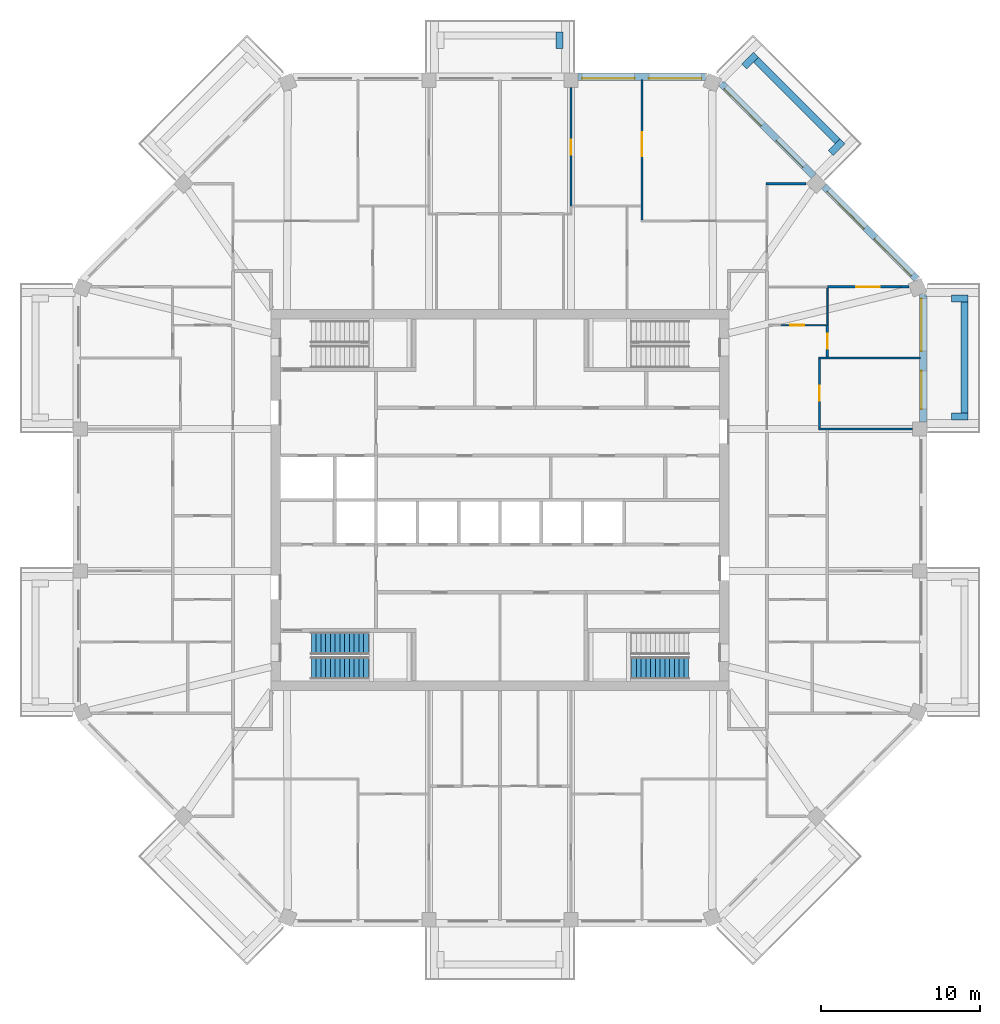
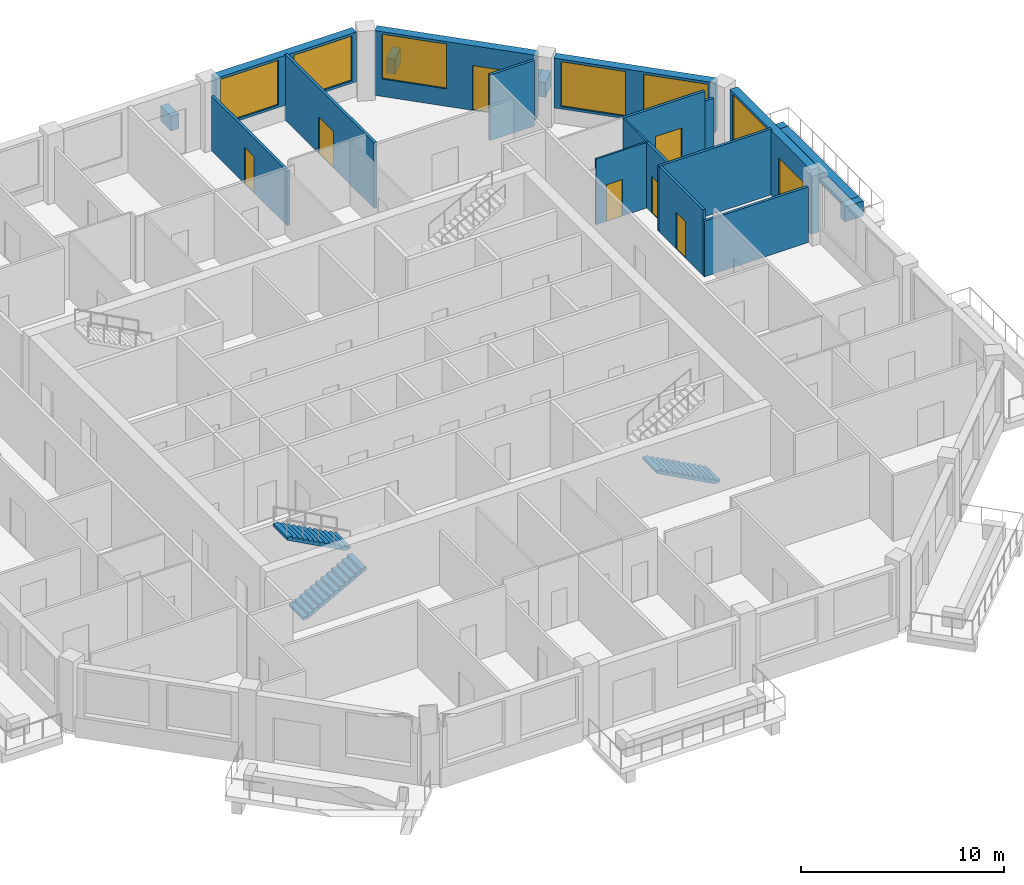
# One storey, part 9 of 12: 22 walls, 8 doors, 6 windows, 3 stair flights, 14 openings, 2 elements without a shape of their own.
"""IFC4 building model written with IfcOpenShell, lengths in metres."""

from ifc_helpers import new_model, si_unit, direction, frame, frame_2d, origin, place, context, subcontext, project, spatial, polyline, rectangle, outline, extrude, material, layer, layer_set, type_object, element, fill, aggregate, save


model = new_model("IFC4")

# Units and contexts
model_context = context("Model", 3, precision=1e-05, world=origin(), true_north=direction((0.0, 1.0)))
body_context = subcontext(model_context, "Body", "Model", "MODEL_VIEW")
ifc_project = project(units=[si_unit("LENGTHUNIT", "METRE"), si_unit("AREAUNIT", "SQUARE_METRE"), si_unit("VOLUMEUNIT", "CUBIC_METRE"), si_unit("PLANEANGLEUNIT", "RADIAN"), si_unit("MASSUNIT", "GRAM", prefix="KILO")], contexts=[model_context])

# Site, building, storey
site_placement = place(None, origin())
site = spatial("IfcSite", under=ifc_project, at=site_placement, CompositionType="ELEMENT")
building_placement = place(site_placement, origin())
building = spatial("IfcBuilding", under=site, at=building_placement, Name="Msitu Wima Residences", CompositionType="ELEMENT")
storey_placement = place(building_placement, frame((0.0, 0.0, 239.10009765625)))
storey = spatial("IfcBuildingStorey", under=building, at=storey_placement, Name="L55", CompositionType="ELEMENT", Elevation=239.10009765625)

# Walls
ifc_material_1 = material(Name="Facing brick")
ifc_layer_1 = layer(ifc_material_1, 0.06494140625, Name="Facing brick")
ifc_material_2 = material(Name="Concrete C40/50", Category="concrete")
ifc_layer_2 = layer(ifc_material_2, 0.156005859375, Name="Concrete C40/50")
ifc_material_3 = material(Name="Waterproofing membrane")
ifc_layer_3 = layer(ifc_material_3, 0.00390625, Name="Waterproofing membrane")
ifc_material_4 = material(Name="Planting soil and planting")
ifc_layer_4 = layer(ifc_material_4, 0.22509765625, Name="Planting soil and planting")
ifc_layer_set_1 = layer_set([ifc_layer_1, ifc_layer_2, ifc_layer_3, ifc_layer_4], Name="Concrete C40/50")
wall_type_1 = type_object("IfcWallType", Name="Balcony planter PLANTER PL450", PredefinedType="USERDEFINED", material=ifc_layer_set_1)
wall_1_placement = place(storey_placement, frame((29.22509765625, 5.468505859375, 0.0), z_axis=(0.0, 0.0, 1.0), x_axis=(0.0, 1.0, 0.0)))
element("IfcWall", 1, at=wall_1_placement, inside=storey, type_object=wall_type_1, Name="Balcony planter E2 L55", ObjectType="PLANTER", PredefinedType="USERDEFINED", context=body_context, shape_type="SweptSolid", body=[
    extrude(rectangle(XDim=6.9873046875, YDim=0.449951171875, at=frame_2d((3.49365234375, 0.0))), origin(), (0.0, 0.0, 1.0), 0.89990234375),
])
for number, where, z_axis, x_axis, name in (
    (2, (28.39990234375, 5.24365234375, 0.0), (0.0, 0.0, 1.0), (1.0, 0.0, 0.0), "Balcony planter E2 L55"),
    (3, (28.39990234375, 12.680908203125, 0.0), (0.0, 0.0, 1.0), (1.0, 0.0, 0.0), "Balcony planter E2 L55"),
):
    element("IfcWall", number, at=place(storey_placement, frame(where, z_axis=z_axis, x_axis=x_axis)), inside=storey, type_object=wall_type_1, Name=name, ObjectType="PLANTER", PredefinedType="USERDEFINED", context=body_context, shape_type="SweptSolid", body=[
        extrude(rectangle(XDim=1.050048828125, YDim=0.449951171875, at=frame_2d((0.52490234375, 0.0))), origin(), (0.0, 0.0, 1.0), 0.89990234375),
    ])
wall_2_placement = place(storey_placement, frame((21.228759765625, 22.572265625, 0.0), z_axis=(0.0, 0.0, 1.0), x_axis=(-0.707106781187, 0.707106781187, 0.0)))
element("IfcWall", 4, at=wall_2_placement, inside=storey, type_object=wall_type_1, Name="Balcony planter NE1 L55", ObjectType="PLANTER", PredefinedType="USERDEFINED", context=body_context, shape_type="SweptSolid", body=[
    extrude(rectangle(XDim=7.23828125, YDim=0.449951171875, at=frame_2d((3.619140625, 0.0))), origin(), (0.0, 0.0, 1.0), 0.89990234375),
])
for number, where, z_axis, x_axis, name in (
    (5, (20.804443359375, 21.829833984375, 0.0), (0.0, 0.0, 1.0), (0.707106781187, 0.707106781187, 0.0), "Balcony planter NE1 L55"),
    (6, (15.3681640625, 27.26611328125, 0.0), (0.0, 0.0, 1.0), (0.706990528533, 0.707223014731, 0.0), "Balcony planter NE1 L55"),
    (7, (3.74365234375, 28.39990234375, 0.0), (0.0, 0.0, 1.0), (0.0, 1.0, 0.0), "Balcony planter N1 L55"),
):
    element("IfcWall", number, at=place(storey_placement, frame(where, z_axis=z_axis, x_axis=x_axis)), inside=storey, type_object=wall_type_1, Name=name, ObjectType="PLANTER", PredefinedType="USERDEFINED", context=body_context, shape_type="SweptSolid", body=[
        extrude(rectangle(XDim=1.050048828125, YDim=0.449951171875, at=frame_2d((0.52490234375, 0.0))), origin(), (0.0, 0.0, 1.0), 0.89990234375),
    ])

# Wall, openings, door, window
ifc_material_5 = material(Name="Brick (red buff mix)", Category="masonry")
ifc_layer_5 = layer(ifc_material_5, 0.449951171875)
ifc_layer_set_2 = layer_set([ifc_layer_5], Name="Brick (red buff mix)")
wall_type_2 = type_object("IfcWallType", Name="Brick infill wall BW450", PredefinedType="SOLIDWALL", material=ifc_layer_set_2)
wall_3_placement = place(storey_placement, frame((26.625, 4.918701171875, 0.0), z_axis=(0.0, 0.0, 1.0), x_axis=(0.0, 1.0, 0.0)))
wall_3 = element("IfcWall", 8, at=wall_3_placement, inside=storey, type_object=wall_type_2, Name="Brick infill wall L55 E2", PredefinedType="SOLIDWALL", context=body_context, shape_type="SweptSolid", body=[
    extrude(rectangle(XDim=8.0, YDim=0.449951171875, at=frame_2d((4.0, 0.0))), origin(), (0.0, 0.0, 1.0), 3.89990234375),
])
opening_1_placement = place(wall_3_placement, frame((0.800048828125, 0.0, 0.0)))
opening_1 = element("IfcOpeningElement", 9, at=opening_1_placement, cuts=wall_3, Name="Opening D55-56.002", PredefinedType="OPENING", context=body_context, shape_type="SweptSolid", body=[
    extrude(rectangle(XDim=2.39990234375, YDim=2.699951171875, at=frame_2d((1.199951171875, 1.35009765625))), frame((0.0, 0.23486328125, 0.0), z_axis=(0.0, -1.0, 0.0), x_axis=(1.0, 0.0, 0.0)), (0.0, 0.0, 1.0), 0.469970703125),
])
opening_2_placement = place(wall_3_placement, frame((4.4501953125, 0.0, 1.050048828125)))
opening_2 = element("IfcOpeningElement", 10, at=opening_2_placement, cuts=wall_3, Name="Opening W55-56.004", PredefinedType="OPENING", context=body_context, shape_type="SweptSolid", body=[
    extrude(rectangle(XDim=3.300048828125, YDim=2.699951171875, at=frame_2d((1.64990234375, 1.35009765625))), frame((0.0, 0.23486328125, 0.0), z_axis=(0.0, -1.0, 0.0), x_axis=(1.0, 0.0, 0.0)), (0.0, 0.0, 1.0), 0.469970703125),
])
ifc_material_6 = material(Name="Anodised aluminium, bronze finish, clear low-emissivity double glazing", Category="aluminium")
door_type_1 = type_object("IfcDoorType", Name="Balcony door D2400x2700", OperationType="SLIDING_TO_LEFT", PredefinedType="DOOR", material=ifc_material_6)
door_1_placement = place(opening_1_placement, origin())
door_1 = element("IfcDoor", 11, at=door_1_placement, inside=storey, type_object=door_type_1, Name="Balcony door L55 E2", OperationType="SINGLE_SWING_LEFT", OverallHeight=2.699951171875, OverallWidth=2.39990234375, PredefinedType="DOOR", context=body_context, shape_type="SweptSolid", body=[
    extrude(rectangle(XDim=2.39990234375, YDim=2.699951171875, at=frame_2d((1.199951171875, 1.35009765625))), frame((0.0, 0.1298828125, 0.0), z_axis=(0.0, -1.0, 0.0), x_axis=(1.0, 0.0, 0.0)), (0.0, 0.0, 1.0), 0.050048828125),
])
fill(opening_1, door_1)
window_type = type_object("IfcWindowType", Name="Window W3300x2700", PartitioningType="DOUBLE_PANEL_VERTICAL", PredefinedType="WINDOW", material=ifc_material_6)
window_1_placement = place(opening_2_placement, origin())
window_1 = element("IfcWindow", 12, at=window_1_placement, inside=storey, type_object=window_type, Name="Window L55 E2.2", OverallHeight=2.699951171875, OverallWidth=3.300048828125, PartitioningType="SINGLE_PANEL", PredefinedType="WINDOW", context=body_context, shape_type="SweptSolid", body=[
    extrude(rectangle(XDim=3.300048828125, YDim=2.699951171875, at=frame_2d((1.64990234375, 1.35009765625))), frame((0.0, 0.135009765625, 0.0), z_axis=(0.0, -1.0, 0.0), x_axis=(1.0, 0.0, 0.0)), (0.0, 0.0, 1.0), 0.06005859375),
])
fill(opening_2, window_1)

# Wall, openings, windows
wall_4_placement = place(storey_placement, frame((26.214599609375, 13.909423828125, 0.89990234375), z_axis=(0.0, 0.0, 1.0), x_axis=(-0.707106781187, 0.707106781187, 0.0)))
wall_4 = element("IfcWall", 13, at=wall_4_placement, inside=storey, type_object=wall_type_2, Name="Brick infill wall L55 NE0", PredefinedType="SOLIDWALL", context=body_context, shape_type="SweptSolid", body=[
    extrude(rectangle(XDim=8.251220703125, YDim=0.449951171875, at=frame_2d((4.12548828125, 0.0))), origin(), (0.0, 0.0, 1.0), 3.0),
])
opening_3_placement = place(wall_4_placement, frame((0.37548828125, 0.0, 0.14990234375)))
opening_3 = element("IfcOpeningElement", 14, at=opening_3_placement, cuts=wall_4, Name="Opening W55-56.010", PredefinedType="OPENING", context=body_context, shape_type="SweptSolid", body=[
    extrude(rectangle(XDim=3.300048828125, YDim=2.699951171875, at=frame_2d((1.64990234375, 1.35009765625))), frame((0.0, 0.23486328125, 0.0), z_axis=(0.0, -1.0, 0.0), x_axis=(1.0, 0.0, 0.0)), (0.0, 0.0, 1.0), 0.469970703125),
])
opening_4_placement = place(wall_4_placement, frame((4.57568359375, 0.0, 0.14990234375)))
opening_4 = element("IfcOpeningElement", 15, at=opening_4_placement, cuts=wall_4, Name="Opening W55-56.011", PredefinedType="OPENING", context=body_context, shape_type="SweptSolid", body=[
    extrude(rectangle(XDim=3.300048828125, YDim=2.699951171875, at=frame_2d((1.64990234375, 1.35009765625))), frame((0.0, 0.23486328125, 0.0), z_axis=(0.0, -1.0, 0.0), x_axis=(1.0, 0.0, 0.0)), (0.0, 0.0, 1.0), 0.469970703125),
])
window_2_placement = place(opening_3_placement, origin())
window_2 = element("IfcWindow", 16, at=window_2_placement, inside=storey, type_object=window_type, Name="Window L55 NE0.1", OverallHeight=2.699951171875, OverallWidth=3.300048828125, PartitioningType="SINGLE_PANEL", PredefinedType="WINDOW", context=body_context, shape_type="SweptSolid", body=[
    extrude(rectangle(XDim=3.300048828125, YDim=2.699951171875, at=frame_2d((1.64990234375, 1.35009765625))), frame((0.0, 0.135009765625, 0.0), z_axis=(0.0, -1.0, 0.0), x_axis=(1.0, 0.0, 0.0)), (0.0, 0.0, 1.0), 0.06005859375),
])
fill(opening_3, window_2)
window_3_placement = place(opening_4_placement, origin())
window_3 = element("IfcWindow", 17, at=window_3_placement, inside=storey, type_object=window_type, Name="Window L55 NE0.2", OverallHeight=2.699951171875, OverallWidth=3.300048828125, PartitioningType="SINGLE_PANEL", PredefinedType="WINDOW", context=body_context, shape_type="SweptSolid", body=[
    extrude(rectangle(XDim=3.300048828125, YDim=2.699951171875, at=frame_2d((1.64990234375, 1.35009765625))), frame((0.0, 0.135009765625, 0.0), z_axis=(0.0, -1.0, 0.0), x_axis=(1.0, 0.0, 0.0)), (0.0, 0.0, 1.0), 0.06005859375),
])
fill(opening_4, window_3)

# Wall, openings, door, window
wall_5_placement = place(storey_placement, frame((19.743896484375, 20.380126953125, 0.0), z_axis=(0.0, 0.0, 1.0), x_axis=(-0.707106781187, 0.707106781187, 0.0)))
wall_5 = element("IfcWall", 18, at=wall_5_placement, inside=storey, type_object=wall_type_2, Name="Brick infill wall L55 NE1", PredefinedType="SOLIDWALL", context=body_context, shape_type="SweptSolid", body=[
    extrude(rectangle(XDim=8.251220703125, YDim=0.449951171875, at=frame_2d((4.12548828125, 0.0))), origin(), (0.0, 0.0, 1.0), 3.89990234375),
])
opening_5_placement = place(wall_5_placement, frame((0.86279296875, 0.0, 0.0)))
opening_5 = element("IfcOpeningElement", 19, at=opening_5_placement, cuts=wall_5, Name="Opening D55-56.004", PredefinedType="OPENING", context=body_context, shape_type="SweptSolid", body=[
    extrude(rectangle(XDim=2.39990234375, YDim=2.699951171875, at=frame_2d((1.199951171875, 1.35009765625))), frame((0.0, 0.23486328125, 0.0), z_axis=(0.0, -1.0, 0.0), x_axis=(1.0, 0.0, 0.0)), (0.0, 0.0, 1.0), 0.469970703125),
])
opening_6_placement = place(wall_5_placement, frame((4.57568359375, 0.0, 1.050048828125)))
opening_6 = element("IfcOpeningElement", 20, at=opening_6_placement, cuts=wall_5, Name="Opening W55-56.012", PredefinedType="OPENING", context=body_context, shape_type="SweptSolid", body=[
    extrude(rectangle(XDim=3.300048828125, YDim=2.699951171875, at=frame_2d((1.64990234375, 1.35009765625))), frame((0.0, 0.23486328125, 0.0), z_axis=(0.0, -1.0, 0.0), x_axis=(1.0, 0.0, 0.0)), (0.0, 0.0, 1.0), 0.469970703125),
])
door_2_placement = place(opening_5_placement, origin())
door_2 = element("IfcDoor", 21, at=door_2_placement, inside=storey, type_object=door_type_1, Name="Balcony door L55 NE1", OperationType="SINGLE_SWING_LEFT", OverallHeight=2.699951171875, OverallWidth=2.39990234375, PredefinedType="DOOR", context=body_context, shape_type="SweptSolid", body=[
    extrude(rectangle(XDim=2.39990234375, YDim=2.699951171875, at=frame_2d((1.199951171875, 1.35009765625))), frame((0.0, 0.1298828125, 0.0), z_axis=(0.0, -1.0, 0.0), x_axis=(1.0, 0.0, 0.0)), (0.0, 0.0, 1.0), 0.050048828125),
])
fill(opening_5, door_2)
window_4_placement = place(opening_6_placement, origin())
window_4 = element("IfcWindow", 22, at=window_4_placement, inside=storey, type_object=window_type, Name="Window L55 NE1.2", OverallHeight=2.699951171875, OverallWidth=3.300048828125, PartitioningType="SINGLE_PANEL", PredefinedType="WINDOW", context=body_context, shape_type="SweptSolid", body=[
    extrude(rectangle(XDim=3.300048828125, YDim=2.699951171875, at=frame_2d((1.64990234375, 1.35009765625))), frame((0.0, 0.135009765625, 0.0), z_axis=(0.0, -1.0, 0.0), x_axis=(1.0, 0.0, 0.0)), (0.0, 0.0, 1.0), 0.06005859375),
])
fill(opening_6, window_4)

# Wall, openings, windows
wall_6_placement = place(storey_placement, frame((12.918701171875, 26.625, 0.89990234375), z_axis=(0.0, 0.0, 1.0), x_axis=(-1.0, 0.0, 0.0)))
wall_6 = element("IfcWall", 23, at=wall_6_placement, inside=storey, type_object=wall_type_2, Name="Brick infill wall L55 N0", PredefinedType="SOLIDWALL", context=body_context, shape_type="SweptSolid", body=[
    extrude(rectangle(XDim=8.0, YDim=0.449951171875, at=frame_2d((4.0, 0.0))), origin(), (0.0, 0.0, 1.0), 3.0),
])
opening_7_placement = place(wall_6_placement, frame((0.25, 0.0, 0.14990234375)))
opening_7 = element("IfcOpeningElement", 24, at=opening_7_placement, cuts=wall_6, Name="Opening W55-56.005", PredefinedType="OPENING", context=body_context, shape_type="SweptSolid", body=[
    extrude(rectangle(XDim=3.300048828125, YDim=2.699951171875, at=frame_2d((1.64990234375, 1.35009765625))), frame((0.0, 0.23486328125, 0.0), z_axis=(0.0, -1.0, 0.0), x_axis=(1.0, 0.0, 0.0)), (0.0, 0.0, 1.0), 0.469970703125),
])
opening_8_placement = place(wall_6_placement, frame((4.4501953125, 0.0, 0.14990234375)))
opening_8 = element("IfcOpeningElement", 25, at=opening_8_placement, cuts=wall_6, Name="Opening W55-56.006", PredefinedType="OPENING", context=body_context, shape_type="SweptSolid", body=[
    extrude(rectangle(XDim=3.300048828125, YDim=2.699951171875, at=frame_2d((1.64990234375, 1.35009765625))), frame((0.0, 0.23486328125, 0.0), z_axis=(0.0, -1.0, 0.0), x_axis=(1.0, 0.0, 0.0)), (0.0, 0.0, 1.0), 0.469970703125),
])
window_5_placement = place(opening_7_placement, origin())
window_5 = element("IfcWindow", 26, at=window_5_placement, inside=storey, type_object=window_type, Name="Window L55 N0.1", OverallHeight=2.699951171875, OverallWidth=3.300048828125, PartitioningType="SINGLE_PANEL", PredefinedType="WINDOW", context=body_context, shape_type="SweptSolid", body=[
    extrude(rectangle(XDim=3.300048828125, YDim=2.699951171875, at=frame_2d((1.64990234375, 1.35009765625))), frame((0.0, 0.135009765625, 0.0), z_axis=(0.0, -1.0, 0.0), x_axis=(1.0, 0.0, 0.0)), (0.0, 0.0, 1.0), 0.06005859375),
])
fill(opening_7, window_5)
window_6_placement = place(opening_8_placement, origin())
window_6 = element("IfcWindow", 27, at=window_6_placement, inside=storey, type_object=window_type, Name="Window L55 N0.2", OverallHeight=2.699951171875, OverallWidth=3.300048828125, PartitioningType="SINGLE_PANEL", PredefinedType="WINDOW", context=body_context, shape_type="SweptSolid", body=[
    extrude(rectangle(XDim=3.300048828125, YDim=2.699951171875, at=frame_2d((1.64990234375, 1.35009765625))), frame((0.0, 0.135009765625, 0.0), z_axis=(0.0, -1.0, 0.0), x_axis=(1.0, 0.0, 0.0)), (0.0, 0.0, 1.0), 0.06005859375),
])
fill(opening_8, window_6)

# Wall, opening, door
ifc_material_7 = material(Name="Plaster")
ifc_layer_6 = layer(ifc_material_7, 0.011962890625, Name="Plaster")
ifc_material_8 = material(Name="Concrete blockwork", Category="masonry")
ifc_layer_7 = layer(ifc_material_8, 0.1259765625, Name="Concrete blockwork")
ifc_layer_8 = layer(ifc_material_7, 0.011962890625, Name="Plaster")
ifc_layer_set_3 = layer_set([ifc_layer_6, ifc_layer_7, ifc_layer_8], Name="Concrete blockwork")
wall_type_3 = type_object("IfcWallType", Name="Partition PW150", PredefinedType="PARTITIONING", material=ifc_layer_set_3)
wall_7_placement = place(storey_placement, frame((4.46875, 18.47998046875, 0.0), z_axis=(0.0, 0.0, 1.0), x_axis=(0.0, 1.0, 0.0)))
wall_7 = element("IfcWall", 28, at=wall_7_placement, inside=storey, type_object=wall_type_3, Name="Partition", PredefinedType="PARTITIONING", context=body_context, shape_type="SweptSolid", body=[
    extrude(rectangle(XDim=7.469970703125, YDim=0.14990234375, at=frame_2d((3.73486328125, 0.0))), origin(), (0.0, 0.0, 1.0), 3.2998046875),
])
opening_9_placement = place(wall_7_placement, frame((3.25, 0.0, 0.0)))
opening_9 = element("IfcOpeningElement", 29, at=opening_9_placement, cuts=wall_7, Name="Opening D55-56.018", PredefinedType="OPENING", context=body_context, shape_type="SweptSolid", body=[
    extrude(rectangle(XDim=0.949951171875, YDim=2.199951171875, at=frame_2d((0.47509765625, 1.10009765625))), frame((0.0, 0.0849609375, 0.0), z_axis=(0.0, -1.0, 0.0), x_axis=(1.0, 0.0, 0.0)), (0.0, 0.0, 1.0), 0.169921875),
])
ifc_material_9 = material(Name="Timber flush door", Category="wood")
door_type_2 = type_object("IfcDoorType", Name="Room door D12 950x2200", OperationType="SINGLE_SWING_LEFT", PredefinedType="DOOR", material=ifc_material_9)
door_3_placement = place(opening_9_placement, origin())
door_3 = element("IfcDoor", 30, at=door_3_placement, inside=storey, type_object=door_type_2, Name="Room door", OperationType="SINGLE_SWING_LEFT", OverallHeight=2.199951171875, OverallWidth=0.949951171875, PredefinedType="DOOR", context=body_context, shape_type="SweptSolid", body=[
    extrude(rectangle(XDim=0.949951171875, YDim=2.199951171875, at=frame_2d((0.47509765625, 1.10009765625))), frame((0.0, 0.02490234375, 0.0), z_axis=(0.0, -1.0, 0.0), x_axis=(1.0, 0.0, 0.0)), (0.0, 0.0, 1.0), 0.050048828125),
])
fill(opening_9, door_3)

wall_8_placement = place(storey_placement, frame((8.937255859375, 17.625, 0.0), z_axis=(0.0, 0.0, 1.0), x_axis=(0.0, 1.0, 0.0)))
wall_8 = element("IfcWall", 31, at=wall_8_placement, inside=storey, type_object=wall_type_3, Name="Partition", PredefinedType="PARTITIONING", context=body_context, shape_type="SweptSolid", body=[
    extrude(rectangle(XDim=8.830078125, YDim=0.14990234375, at=frame_2d((4.4150390625, 0.0))), origin(), (0.0, 0.0, 1.0), 3.949951171875),
])
opening_10_placement = place(wall_8_placement, frame((4.0, 0.0, 0.0)))
opening_10 = element("IfcOpeningElement", 32, at=opening_10_placement, cuts=wall_8, Name="Opening D55-56.015", PredefinedType="OPENING", context=body_context, shape_type="SweptSolid", body=[
    extrude(rectangle(XDim=1.5, YDim=2.199951171875, at=frame_2d((0.75, 1.10009765625))), frame((0.0, 0.0849609375, 0.0), z_axis=(0.0, -1.0, 0.0), x_axis=(1.0, 0.0, 0.0)), (0.0, 0.0, 1.0), 0.169921875),
])
ifc_material_10 = material(Name="Timber double door", Category="wood")
door_type_3 = type_object("IfcDoorType", Name="Double door D04 1500x2200", OperationType="DOUBLE_DOOR_SINGLE_SWING", PredefinedType="DOOR", material=ifc_material_10)
door_4_placement = place(opening_10_placement, origin())
door_4 = element("IfcDoor", 33, at=door_4_placement, inside=storey, type_object=door_type_3, Name="Double door", OperationType="DOUBLE_DOOR_SINGLE_SWING", OverallHeight=2.199951171875, OverallWidth=1.5, PredefinedType="DOOR", context=body_context, shape_type="SweptSolid", body=[
    extrude(rectangle(XDim=1.5, YDim=2.199951171875, at=frame_2d((0.75, 1.10009765625))), frame((0.0, 0.02490234375, 0.0), z_axis=(0.0, -1.0, 0.0), x_axis=(1.0, 0.0, 0.0)), (0.0, 0.0, 1.0), 0.050048828125),
])
fill(opening_10, door_4)

# Wall
wall_9_placement = place(storey_placement, frame((16.72509765625, 19.90283203125, 0.0), z_axis=(0.0, 0.0, 1.0), x_axis=(1.0, 0.0, 0.0)))
element("IfcWall", 34, at=wall_9_placement, inside=storey, type_object=wall_type_3, Name="Partition", PredefinedType="PARTITIONING", context=body_context, shape_type="SweptSolid", body=[
    extrude(rectangle(XDim=2.54150390625, YDim=0.14990234375, at=frame_2d((1.270751953125, 0.0))), origin(), (0.0, 0.0, 1.0), 3.949951171875),
])

# Wall, opening, door
wall_10_placement = place(storey_placement, frame((20.10009765625, 4.543701171875, 0.0), z_axis=(0.0, 0.0, 1.0), x_axis=(0.0, 1.0, 0.0)))
wall_10 = element("IfcWall", 35, at=wall_10_placement, inside=storey, type_object=wall_type_3, Name="Partition", PredefinedType="PARTITIONING", context=body_context, shape_type="SweptSolid", body=[
    extrude(rectangle(XDim=4.318603515625, YDim=0.14990234375, at=frame_2d((2.1591796875, 0.0))), origin(), (0.0, 0.0, 1.0), 3.949951171875),
])
opening_11_placement = place(wall_10_placement, frame((1.699951171875, 0.0, 0.0)))
opening_11 = element("IfcOpeningElement", 36, at=opening_11_placement, cuts=wall_10, Name="Opening D55-56.029", PredefinedType="OPENING", context=body_context, shape_type="SweptSolid", body=[
    extrude(rectangle(XDim=0.949951171875, YDim=2.199951171875, at=frame_2d((0.47509765625, 1.10009765625))), frame((0.0, 0.0849609375, 0.0), z_axis=(0.0, -1.0, 0.0), x_axis=(1.0, 0.0, 0.0)), (0.0, 0.0, 1.0), 0.169921875),
])
door_5_placement = place(opening_11_placement, origin())
door_5 = element("IfcDoor", 37, at=door_5_placement, inside=storey, type_object=door_type_2, Name="Room door", OperationType="SINGLE_SWING_LEFT", OverallHeight=2.199951171875, OverallWidth=0.949951171875, PredefinedType="DOOR", context=body_context, shape_type="SweptSolid", body=[
    extrude(rectangle(XDim=0.949951171875, YDim=2.199951171875, at=frame_2d((0.47509765625, 1.10009765625))), frame((0.0, 0.02490234375, 0.0), z_axis=(0.0, -1.0, 0.0), x_axis=(1.0, 0.0, 0.0)), (0.0, 0.0, 1.0), 0.050048828125),
])
fill(opening_11, door_5)

# Walls
wall_11_placement = place(storey_placement, frame((20.02490234375, 4.46875, 0.0), z_axis=(0.0, 0.0, 1.0), x_axis=(1.0, 0.0, 0.0)))
element("IfcWall", 38, at=wall_11_placement, inside=storey, type_object=wall_type_3, Name="Partition", PredefinedType="PARTITIONING", context=body_context, shape_type="SweptSolid", body=[
    extrude(rectangle(XDim=5.925048828125, YDim=0.14990234375, at=frame_2d((2.96240234375, 0.0))), origin(), (0.0, 0.0, 1.0), 3.349853515625),
])
wall_12_placement = place(storey_placement, frame((20.02490234375, 8.937255859375, 0.0), z_axis=(0.0, 0.0, 1.0), x_axis=(1.0, 0.0, 0.0)))
element("IfcWall", 39, at=wall_12_placement, inside=storey, type_object=wall_type_3, Name="Partition", PredefinedType="PARTITIONING", context=body_context, shape_type="SweptSolid", body=[
    extrude(rectangle(XDim=6.43017578125, YDim=0.14990234375, at=frame_2d((3.215087890625, 0.0))), origin(), (0.0, 0.0, 1.0), 3.949951171875),
])

# Wall, opening, door
wall_13_placement = place(storey_placement, frame((20.60009765625, 9.01220703125, 0.0), z_axis=(0.0, 0.0, 1.0), x_axis=(0.0, 1.0, 0.0)))
wall_13 = element("IfcWall", 40, at=wall_13_placement, inside=storey, type_object=wall_type_3, Name="Partition", PredefinedType="PARTITIONING", context=body_context, shape_type="SweptSolid", body=[
    extrude(rectangle(XDim=1.9677734375, YDim=0.14990234375, at=frame_2d((0.98388671875, 0.0))), origin(), (0.0, 0.0, 1.0), 3.949951171875),
])
opening_12_placement = place(wall_13_placement, frame((0.5, 0.0, 0.0)))
opening_12 = element("IfcOpeningElement", 41, at=opening_12_placement, cuts=wall_13, Name="Opening D55-56.030", PredefinedType="OPENING", context=body_context, shape_type="SweptSolid", body=[
    extrude(rectangle(XDim=0.949951171875, YDim=2.199951171875, at=frame_2d((0.47509765625, 1.10009765625))), frame((0.0, 0.0849609375, 0.0), z_axis=(0.0, -1.0, 0.0), x_axis=(1.0, 0.0, 0.0)), (0.0, 0.0, 1.0), 0.169921875),
])
door_6_placement = place(opening_12_placement, origin())
door_6 = element("IfcDoor", 42, at=door_6_placement, inside=storey, type_object=door_type_2, Name="Room door", OperationType="SINGLE_SWING_RIGHT", OverallHeight=2.199951171875, OverallWidth=0.949951171875, PredefinedType="DOOR", context=body_context, shape_type="SweptSolid", body=[
    extrude(rectangle(XDim=0.949951171875, YDim=2.199951171875, at=frame_2d((0.47509765625, 1.10009765625))), frame((0.0, 0.02490234375, 0.0), z_axis=(0.0, -1.0, 0.0), x_axis=(1.0, 0.0, 0.0)), (0.0, 0.0, 1.0), 0.050048828125),
])
fill(opening_12, door_6)

wall_14_placement = place(storey_placement, frame((20.60009765625, 13.406005859375, 0.0), z_axis=(0.0, 0.0, 1.0), x_axis=(1.0, 0.0, 0.0)))
wall_14 = element("IfcWall", 43, at=wall_14_placement, inside=storey, type_object=wall_type_3, Name="Partition", PredefinedType="PARTITIONING", context=body_context, shape_type="SweptSolid", body=[
    extrude(rectangle(XDim=4.6240234375, YDim=0.14990234375, at=frame_2d((2.31201171875, 0.0))), origin(), (0.0, 0.0, 1.0), 3.949951171875),
])
opening_13_placement = place(wall_14_placement, frame((1.800048828125, 0.0, 0.0)))
opening_13 = element("IfcOpeningElement", 44, at=opening_13_placement, cuts=wall_14, Name="Opening D55-56.031", PredefinedType="OPENING", context=body_context, shape_type="SweptSolid", body=[
    extrude(rectangle(XDim=1.5, YDim=2.199951171875, at=frame_2d((0.75, 1.10009765625))), frame((0.0, 0.0849609375, 0.0), z_axis=(0.0, -1.0, 0.0), x_axis=(1.0, 0.0, 0.0)), (0.0, 0.0, 1.0), 0.169921875),
])
door_7_placement = place(opening_13_placement, origin())
door_7 = element("IfcDoor", 45, at=door_7_placement, inside=storey, type_object=door_type_3, Name="Double door", OperationType="DOUBLE_DOOR_SINGLE_SWING", OverallHeight=2.199951171875, OverallWidth=1.5, PredefinedType="DOOR", context=body_context, shape_type="SweptSolid", body=[
    extrude(rectangle(XDim=1.5, YDim=2.199951171875, at=frame_2d((0.75, 1.10009765625))), frame((0.0, 0.02490234375, 0.0), z_axis=(0.0, -1.0, 0.0), x_axis=(1.0, 0.0, 0.0)), (0.0, 0.0, 1.0), 0.050048828125),
])
fill(opening_13, door_7)

# Wall
wall_15_placement = place(storey_placement, frame((25.22412109375, 13.406005859375, 0.0), z_axis=(0.0, 0.0, 1.0), x_axis=(1.0, 0.0, 0.0)))
element("IfcWall", 46, at=wall_15_placement, inside=storey, type_object=wall_type_3, Name="Partition", PredefinedType="PARTITIONING", context=body_context, shape_type="SweptSolid", body=[
    extrude(rectangle(XDim=0.507080078125, YDim=0.14990234375, at=frame_2d((0.25341796875, 0.0))), origin(), (0.0, 0.0, 1.0), 3.349853515625),
])

# Wall, opening, door
ifc_material_11 = material(Name="Ceramic tiles")
ifc_layer_9 = layer(ifc_material_11, 0.008056640625, Name="Ceramic tiles")
ifc_material_12 = material(Name="Moisture-resistant board")
ifc_layer_10 = layer(ifc_material_12, 0.012451171875, Name="Moisture-resistant board")
ifc_material_13 = material(Name="Light-gauge stud framing with mineral wool")
ifc_layer_11 = layer(ifc_material_13, 0.06689453125, Name="Light-gauge stud framing with mineral wool")
ifc_layer_12 = layer(ifc_material_12, 0.012451171875, Name="Moisture-resistant board")
ifc_layer_set_4 = layer_set([ifc_layer_9, ifc_layer_10, ifc_layer_11, ifc_layer_12], Name="Light-gauge stud framing with mineral wool")
wall_type_4 = type_object("IfcWallType", Name="Wet wall PW100", PredefinedType="PARTITIONING", material=ifc_layer_set_4)
wall_16_placement = place(storey_placement, frame((17.65380859375, 11.0, 0.0), z_axis=(0.0, 0.0, 1.0), x_axis=(1.0, 0.0, 0.0)))
wall_16 = element("IfcWall", 47, at=wall_16_placement, inside=storey, type_object=wall_type_4, Name="Wet wall", PredefinedType="PARTITIONING", context=body_context, shape_type="SweptSolid", body=[
    extrude(rectangle(XDim=2.87109375, YDim=0.10009765625, at=frame_2d((1.435546875, 0.0))), origin(), (0.0, 0.0, 1.0), 3.949951171875),
])
opening_14_placement = place(wall_16_placement, frame((0.59619140625, 0.0, 0.0)))
opening_14 = element("IfcOpeningElement", 48, at=opening_14_placement, cuts=wall_16, Name="Opening D55-56.023", PredefinedType="OPENING", context=body_context, shape_type="SweptSolid", body=[
    extrude(rectangle(XDim=0.89990234375, YDim=2.199951171875, at=frame_2d((0.449951171875, 1.10009765625))), frame((0.0, 0.06005859375, 0.0), z_axis=(0.0, -1.0, 0.0), x_axis=(1.0, 0.0, 0.0)), (0.0, 0.0, 1.0), 0.1201171875),
])
ifc_material_14 = material(Name="Timber flush door, moisture resistant", Category="wood")
door_type_4 = type_object("IfcDoorType", Name="Bathroom door D03 900x2200", OperationType="SINGLE_SWING_LEFT", PredefinedType="DOOR", material=ifc_material_14)
door_8_placement = place(opening_14_placement, origin())
door_8 = element("IfcDoor", 49, at=door_8_placement, inside=storey, type_object=door_type_4, Name="Bathroom door", OperationType="SINGLE_SWING_LEFT", OverallHeight=2.199951171875, OverallWidth=0.89990234375, PredefinedType="DOOR", context=body_context, shape_type="SweptSolid", body=[
    extrude(rectangle(XDim=0.89990234375, YDim=2.199951171875, at=frame_2d((0.449951171875, 1.10009765625))), frame((0.0, 0.02490234375, 0.0), z_axis=(0.0, -1.0, 0.0), x_axis=(1.0, 0.0, 0.0)), (0.0, 0.0, 1.0), 0.050048828125),
])
fill(opening_14, door_8)

# Wall
wall_17_placement = place(storey_placement, frame((20.60009765625, 10.97998046875, 0.0), z_axis=(0.0, 0.0, 1.0), x_axis=(0.0, 1.0, 0.0)))
element("IfcWall", 50, at=wall_17_placement, inside=storey, type_object=wall_type_4, Name="Wet wall", PredefinedType="PARTITIONING", context=body_context, shape_type="SweptSolid", body=[
    extrude(rectangle(XDim=2.350830078125, YDim=0.10009765625, at=frame_2d((1.17529296875, 0.0))), origin(), (0.0, 0.0, 1.0), 3.949951171875),
])

# Stair, stair flights
stair_type = type_object("IfcStairType", Name="Exit stair ES1615-140", PredefinedType="HALF_TURN_STAIR", material=ifc_material_2)
stair_1_placement = place(storey_placement, origin())
stair_1 = element("IfcStair", 51, at=stair_1_placement, inside=storey, type_object=stair_type, Name="Exit stair 2", PredefinedType="HALF_TURN_STAIR")
stair_flight_type = type_object("IfcStairFlightType", Name="Exit stair flight ES1615-140", PredefinedType="STRAIGHT", material=ifc_material_2)
stair_flight_1_placement = place(storey_placement, frame((-11.875, -10.574951171875, 0.0), z_axis=(0.0, 0.0, 1.0), x_axis=(1.0, 0.0, 0.0)))
stair_flight_1 = element("IfcStairFlight", 52, at=stair_flight_1_placement, type_object=stair_flight_type, Name="S2 flight 1", NumberOfRisers=13, NumberOfTreads=12, PredefinedType="STRAIGHT", RiserHeight=0.161538462, TreadLength=0.3, context=body_context, shape_type="SweptSolid", body=[
    extrude(outline(polyline([(0.0, 0.0), (0.0, 0.16162109375), (0.300048828125, 0.16162109375), (0.300048828125, 0.322998046875), (0.60009765625, 0.322998046875), (0.60009765625, 0.484619140625), (0.89990234375, 0.484619140625), (0.89990234375, 0.646240234375), (1.199951171875, 0.646240234375), (1.199951171875, 0.8076171875), (1.5, 0.8076171875), (1.5, 0.96923828125), (1.800048828125, 0.96923828125), (1.800048828125, 1.130859375), (2.10009765625, 1.130859375), (2.10009765625, 1.292236328125), (2.39990234375, 1.292236328125), (2.39990234375, 1.453857421875), (2.699951171875, 1.453857421875), (2.699951171875, 1.615478515625), (3.0, 1.615478515625), (3.0, 1.77685546875), (3.300048828125, 1.77685546875), (3.300048828125, 1.9384765625), (3.60009765625, 1.9384765625), (3.60009765625, 2.10009765625), (3.60009765625, 1.768310546875), (0.316162109375, 0.0), (0.0, 0.0)])), frame((0.0, 0.699951171875, 0.0), z_axis=(0.0, -1.0, 0.0), x_axis=(1.0, 0.0, 0.0)), (0.0, 0.0, 1.0), 1.39990234375),
])
stair_flight_2_placement = place(storey_placement, frame((-8.27490234375, -9.02490234375, 2.099853515625), z_axis=(0.0, 0.0, 1.0), x_axis=(-1.0, 0.0, 0.0)))
stair_flight_2 = element("IfcStairFlight", 53, at=stair_flight_2_placement, type_object=stair_flight_type, Name="S2 flight 2", NumberOfRisers=13, NumberOfTreads=12, PredefinedType="STRAIGHT", RiserHeight=0.161538462, TreadLength=0.3, context=body_context, shape_type="SweptSolid", body=[
    extrude(outline(polyline([(0.0, 0.0), (0.0, 0.16162109375), (0.300048828125, 0.16162109375), (0.300048828125, 0.322998046875), (0.60009765625, 0.322998046875), (0.60009765625, 0.484619140625), (0.89990234375, 0.484619140625), (0.89990234375, 0.646240234375), (1.199951171875, 0.646240234375), (1.199951171875, 0.8076171875), (1.5, 0.8076171875), (1.5, 0.96923828125), (1.800048828125, 0.96923828125), (1.800048828125, 1.130859375), (2.10009765625, 1.130859375), (2.10009765625, 1.292236328125), (2.39990234375, 1.292236328125), (2.39990234375, 1.453857421875), (2.699951171875, 1.453857421875), (2.699951171875, 1.615478515625), (3.0, 1.615478515625), (3.0, 1.77685546875), (3.300048828125, 1.77685546875), (3.300048828125, 1.9384765625), (3.60009765625, 1.9384765625), (3.60009765625, 2.10009765625), (3.60009765625, 1.768310546875), (0.316162109375, 0.0), (0.0, 0.0)])), frame((0.0, 0.699951171875, 0.0), z_axis=(0.0, -1.0, 0.0), x_axis=(1.0, 0.0, 0.0)), (0.0, 0.0, 1.0), 1.39990234375),
])
aggregate(stair_1, [stair_flight_1, stair_flight_2])

# Stair, stair flight
stair_2_placement = place(storey_placement, origin())
stair_2 = element("IfcStair", 54, at=stair_2_placement, inside=storey, type_object=stair_type, Name="Exit stair 4", PredefinedType="HALF_TURN_STAIR")
stair_flight_3_placement = place(storey_placement, frame((11.875, -10.574951171875, 0.0), z_axis=(0.0, 0.0, 1.0), x_axis=(-1.0, 0.0, 0.0)))
stair_flight_3 = element("IfcStairFlight", 55, at=stair_flight_3_placement, type_object=stair_flight_type, Name="S4 flight 1", NumberOfRisers=13, NumberOfTreads=12, PredefinedType="STRAIGHT", RiserHeight=0.161538462, TreadLength=0.3, context=body_context, shape_type="SweptSolid", body=[
    extrude(outline(polyline([(0.0, 0.0), (0.0, 0.16162109375), (0.300048828125, 0.16162109375), (0.300048828125, 0.322998046875), (0.60009765625, 0.322998046875), (0.60009765625, 0.484619140625), (0.89990234375, 0.484619140625), (0.89990234375, 0.646240234375), (1.199951171875, 0.646240234375), (1.199951171875, 0.8076171875), (1.5, 0.8076171875), (1.5, 0.96923828125), (1.800048828125, 0.96923828125), (1.800048828125, 1.130859375), (2.10009765625, 1.130859375), (2.10009765625, 1.292236328125), (2.39990234375, 1.292236328125), (2.39990234375, 1.453857421875), (2.699951171875, 1.453857421875), (2.699951171875, 1.615478515625), (3.0, 1.615478515625), (3.0, 1.77685546875), (3.300048828125, 1.77685546875), (3.300048828125, 1.9384765625), (3.60009765625, 1.9384765625), (3.60009765625, 2.10009765625), (3.60009765625, 1.768310546875), (0.316162109375, 0.0), (0.0, 0.0)])), frame((0.0, 0.699951171875, 0.0), z_axis=(0.0, -1.0, 0.0), x_axis=(1.0, 0.0, 0.0)), (0.0, 0.0, 1.0), 1.39990234375),
])
aggregate(stair_2, [stair_flight_3])

save(model, "model.ifc")
